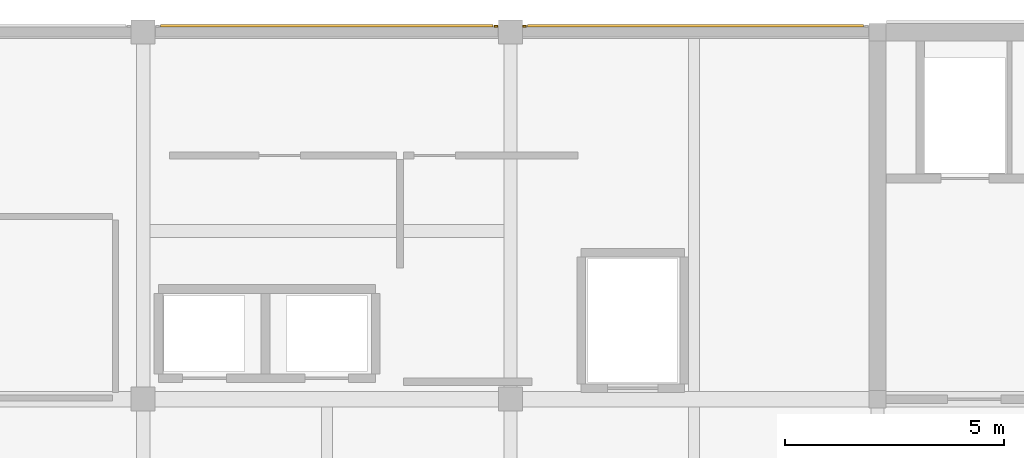
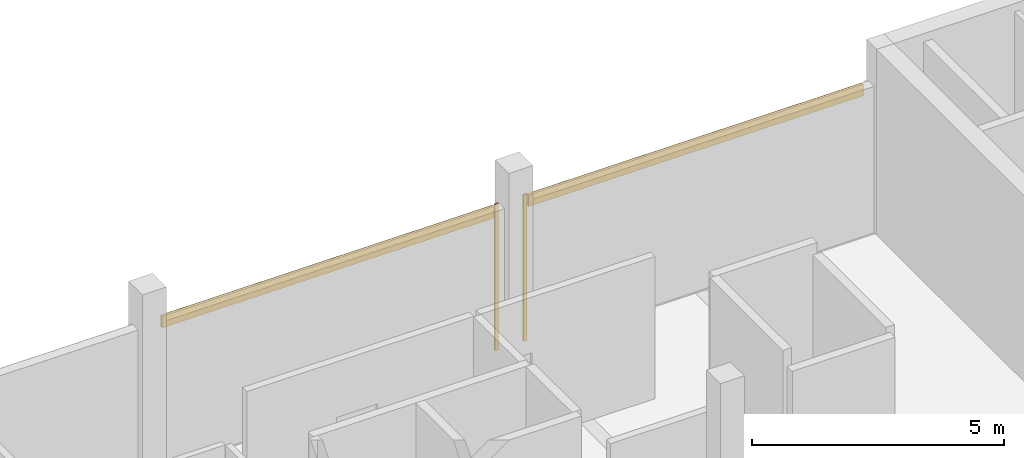
# One storey, part 9 of 11: 4 coverings.
"""IFC4 building model written with IfcOpenShell, lengths in metres."""

from ifc_helpers import new_model, si_unit, direction, frame, origin, origin_2d, place, context, subcontext, project, spatial, rectangle, extrude, material, layer, layer_set, type_object, element, save


model = new_model("IFC4")

# Units and contexts
model_context = context("Model", 3, precision=1e-05, world=origin(), true_north=direction((0.0, 1.0)))
body_context = subcontext(model_context, "Body", "Model", "MODEL_VIEW")
ifc_project = project(units=[si_unit("LENGTHUNIT", "METRE"), si_unit("AREAUNIT", "SQUARE_METRE"), si_unit("VOLUMEUNIT", "CUBIC_METRE"), si_unit("PLANEANGLEUNIT", "RADIAN"), si_unit("MASSUNIT", "GRAM", prefix="KILO")], contexts=[model_context])

# Site, building, storey
site_placement = place(None, origin())
site = spatial("IfcSite", under=ifc_project, at=site_placement, CompositionType="ELEMENT")
building_placement = place(site_placement, origin())
building = spatial("IfcBuilding", under=site, at=building_placement, Name="Telukmera Botanical Conservatory", CompositionType="ELEMENT")
storey_placement = place(building_placement, frame((0.0, 0.0, 73.5)))
storey = spatial("IfcBuildingStorey", under=building, at=storey_placement, Name="L16", CompositionType="ELEMENT", Elevation=73.5)

# Coverings
ifc_material_1 = material(Name="Granite-faced precast concrete C40/50", Category="masonry")
ifc_layer_1 = layer(ifc_material_1, 0.0400390625)
ifc_layer_set_1 = layer_set([ifc_layer_1], Name="Granite-faced precast concrete C40/50")
covering_type_1 = type_object("IfcCoveringType", Name="Granite Precast Column Pier Reveal Casing", PredefinedType="CLADDING", material=ifc_layer_set_1)
for number, where, z_axis, x_axis, name in (
    (1, (83.673095703125, 34.530029296875, 0.0), (0.0, 0.0, 1.0), (1.0, 0.0, 0.0), "Granite Pier Reveal V4:L16:N3 R"),
    (2, (84.326904296875, 34.530029296875, 0.0), (0.0, 0.0, 1.0), (1.0, 0.0, 0.0), "Granite Pier Reveal V4:L16:N4 L"),
):
    element("IfcCovering", number, at=place(storey_placement, frame(where, z_axis=z_axis, x_axis=x_axis)), inside=storey, type_object=covering_type_1, Name=name, PredefinedType="CLADDING", context=body_context, shape_type="SweptSolid", body=[
        extrude(rectangle(XDim=0.080078125, YDim=0.0400390625, at=origin_2d()), origin(), (0.0, 0.0, 1.0), 3.550048828125),
    ])
ifc_material_2 = material(Name="Terracotta-faced precast concrete C40/50", Category="masonry")
ifc_layer_2 = layer(ifc_material_2, 0.06005859375)
ifc_layer_set_2 = layer_set([ifc_layer_2], Name="Terracotta-faced precast concrete C40/50")
covering_type_2 = type_object("IfcCoveringType", Name="Polychrome Terracotta Facade Band Cladding", PredefinedType="CLADDING", material=ifc_layer_set_2)
covering_1_placement = place(storey_placement, frame((79.800048828125, 34.5400390625, 3.22998046875), z_axis=(0.0, 0.0, 1.0), x_axis=(1.0, 0.0, 0.0)))
element("IfcCovering", 3, at=covering_1_placement, inside=storey, type_object=covering_type_2, Name="Polychrome Terracotta Band V4:L16:N3", PredefinedType="CLADDING", context=body_context, shape_type="SweptSolid", body=[
    extrude(rectangle(XDim=7.60595703125, YDim=0.06005859375, at=origin_2d()), origin(), (0.0, 0.0, 1.0), 0.280029296875),
])
covering_2_placement = place(storey_placement, frame((88.237548828125, 34.5400390625, 3.22998046875), z_axis=(0.0, 0.0, 1.0), x_axis=(1.0, 0.0, 0.0)))
element("IfcCovering", 4, at=covering_2_placement, inside=storey, type_object=covering_type_2, Name="Polychrome Terracotta Band V4:L16:N4", PredefinedType="CLADDING", context=body_context, shape_type="SweptSolid", body=[
    extrude(rectangle(XDim=7.680908203125, YDim=0.06005859375, at=origin_2d()), origin(), (0.0, 0.0, 1.0), 0.280029296875),
])

save(model, "model.ifc")
